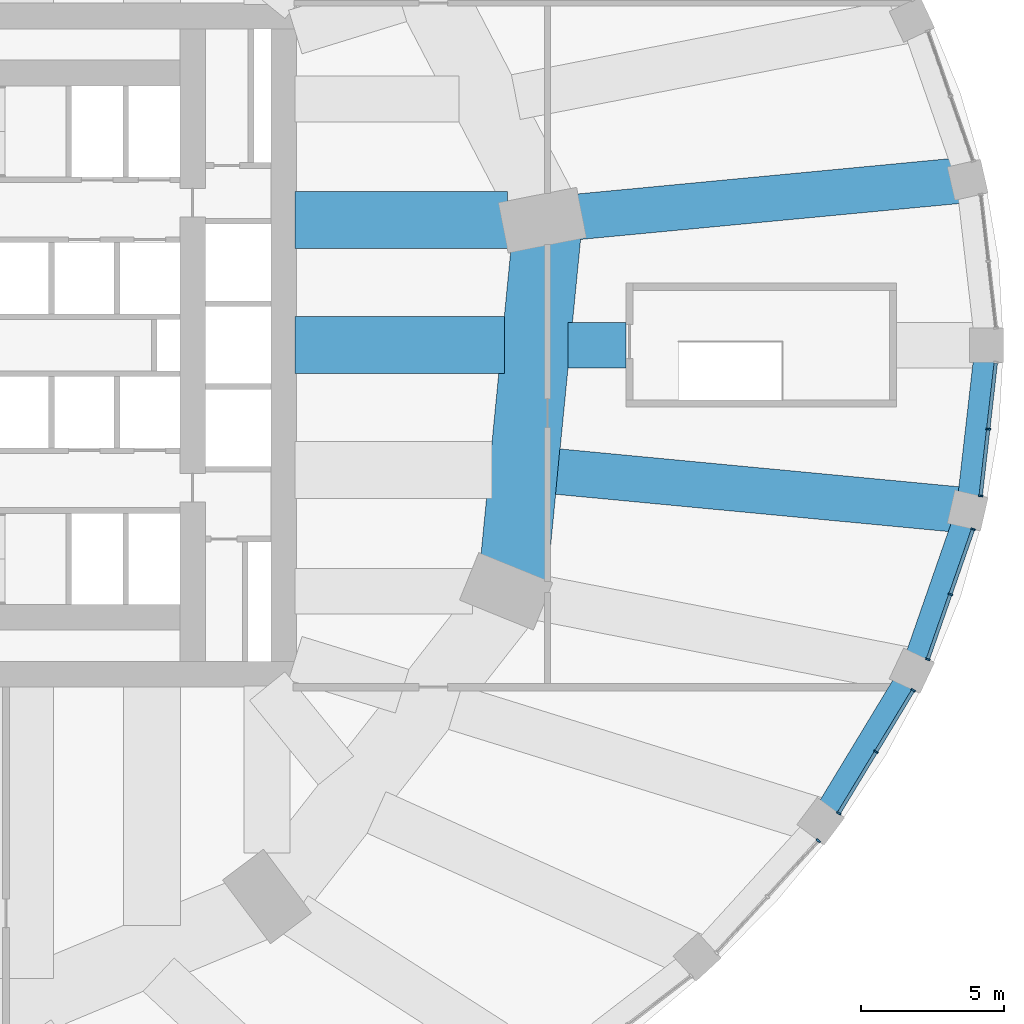
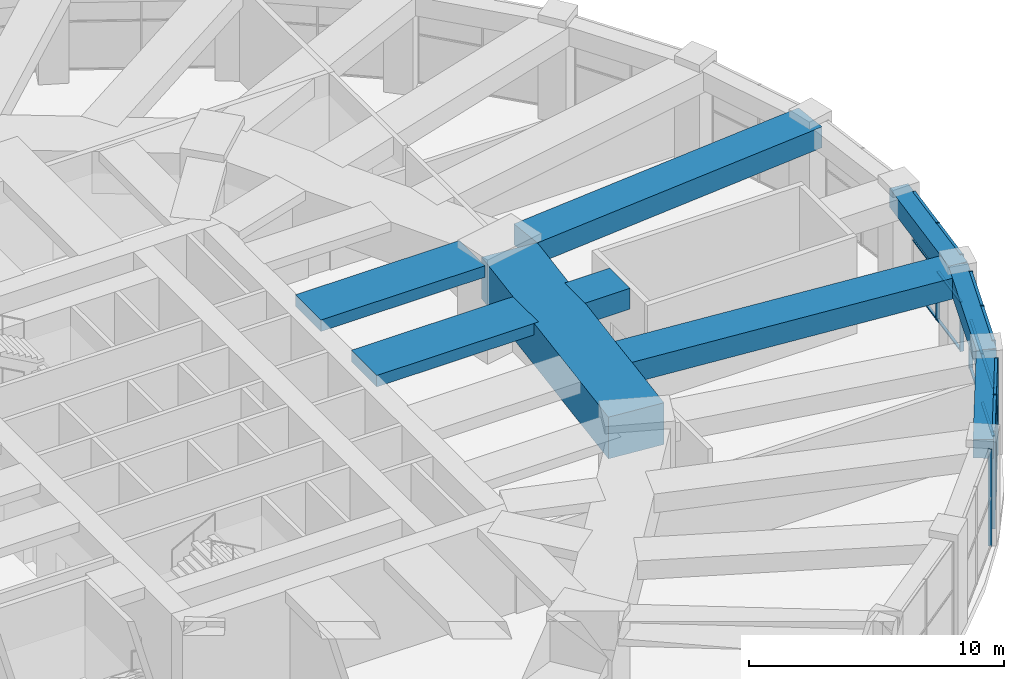
# One storey, part 13 of 30: 27 members, 9 beams, 4 elements without a shape of their own.
"""IFC4 building model written with IfcOpenShell, lengths in metres."""

from ifc_helpers import new_model, si_unit, direction, frame, origin, origin_2d, place, context, subcontext, project, spatial, rectangle, extrude, material, material_profile, profile_set, type_object, element, aggregate, save


model = new_model("IFC4")

# Units and contexts
model_context = context("Model", 3, precision=1e-05, world=origin(), true_north=direction((0.0, 1.0)))
body_context = subcontext(model_context, "Body", "Model", "MODEL_VIEW")
ifc_project = project(units=[si_unit("LENGTHUNIT", "METRE"), si_unit("AREAUNIT", "SQUARE_METRE"), si_unit("VOLUMEUNIT", "CUBIC_METRE"), si_unit("PLANEANGLEUNIT", "RADIAN"), si_unit("MASSUNIT", "GRAM", prefix="KILO")], contexts=[model_context])

# Site, building, storey
site_placement = place(None, origin())
site = spatial("IfcSite", under=ifc_project, at=site_placement, CompositionType="ELEMENT")
building_placement = place(site_placement, origin())
building = spatial("IfcBuilding", under=site, at=building_placement, Name="Taillehof Tower", CompositionType="ELEMENT")
storey_placement = place(building_placement, frame((0.0, 0.0, 12.5)))
storey = spatial("IfcBuildingStorey", under=building, at=storey_placement, Name="L02", CompositionType="ELEMENT", Elevation=12.5)

# Beams
ifc_material_1 = material(Name="Concrete C50/60", Category="concrete")
ifc_material_profile_1 = material_profile(ifc_material_1, rectangle(XDim=0.800048828125, YDim=0.89990234375, at=origin_2d()), Name="RC 800x900")
ifc_profile_set_1 = profile_set([ifc_material_profile_1], Name="Concrete C50/60")
beam_type_1 = type_object("IfcBeamType", Name="Podium edge beam C50/60 800x900", PredefinedType="BEAM", material=ifc_profile_set_1)
beam_1_placement = place(storey_placement, frame((37.58544921875, -16.699951171875, 4.199951171875), z_axis=(0.518238569123, 0.855236099258, 0.0), x_axis=(-0.855236099258, 0.518238569123, 0.0)))
element("IfcBeam", 1, at=beam_1_placement, inside=storey, type_object=beam_type_1, Name="Podium edge beam PB34", PredefinedType="BEAM", context=body_context, shape_type="SweptSolid", body=[
    extrude(rectangle(XDim=0.800048828125, YDim=0.89990234375, at=origin_2d()), origin(), (0.0, 0.0, 1.0), 6.16943359375),
])
beam_2_placement = place(storey_placement, frame((40.78271484375, -11.423583984375, 4.199951171875), z_axis=(0.328806837859, 0.94439719577, 0.0), x_axis=(-0.94439719577, 0.328806837859, 0.0)))
element("IfcBeam", 2, at=beam_2_placement, inside=storey, type_object=beam_type_1, Name="Podium edge beam PB35", PredefinedType="BEAM", context=body_context, shape_type="SweptSolid", body=[
    extrude(rectangle(XDim=0.800048828125, YDim=0.89990234375, at=origin_2d()), origin(), (0.0, 0.0, 1.0), 5.954833984375),
])
beam_3_placement = place(storey_placement, frame((42.74072265625, -5.7998046875, 4.199951171875), z_axis=(0.112928457179, 0.993603121754, 0.0), x_axis=(-0.993603121754, 0.112928457179, 0.0)))
element("IfcBeam", 3, at=beam_3_placement, inside=storey, type_object=beam_type_1, Name="Podium edge beam PB36", PredefinedType="BEAM", context=body_context, shape_type="SweptSolid", body=[
    extrude(rectangle(XDim=0.800048828125, YDim=0.89990234375, at=origin_2d()), origin(), (0.0, 0.0, 1.0), 5.837158203125),
])
ifc_material_2 = material(Name="Concrete C50/60", Category="concrete")
ifc_material_profile_2 = material_profile(ifc_material_2, rectangle(XDim=1.60009765625, YDim=1.0, at=origin_2d()), Name="RC 1600x1000")
ifc_profile_set_2 = profile_set([ifc_material_profile_2], Name="Concrete C50/60")
beam_type_2 = type_object("IfcBeamType", Name="Podium radial beam C50/60 1600x1000", PredefinedType="BEAM", material=ifc_profile_set_2)
beam_4_placement = place(storey_placement, frame((30.75, 0.0, 4.14990234375), z_axis=(-1.0, 0.0, 0.0), x_axis=(0.0, -1.0, 0.0)))
element("IfcBeam", 4, at=beam_4_placement, inside=storey, type_object=beam_type_2, Name="Podium radial beam PR01", PredefinedType="BEAM", context=body_context, shape_type="SweptSolid", body=[
    extrude(rectangle(XDim=1.60009765625, YDim=1.0, at=origin_2d()), origin(), (0.0, 0.0, 1.0), 2.035888671875),
])
beam_5_placement = place(storey_placement, frame((42.74072265625, 5.7998046875, 4.14990234375), z_axis=(-0.995532102093, -0.094423692488, 0.0), x_axis=(0.094423692488, -0.995532102093, 0.0)))
element("IfcBeam", 5, at=beam_5_placement, inside=storey, type_object=beam_type_2, Name="Podium radial beam PR02", PredefinedType="BEAM", context=body_context, shape_type="SweptSolid", body=[
    extrude(rectangle(XDim=1.60009765625, YDim=1.0, at=origin_2d()), origin(), (0.0, 0.0, 1.0), 13.7216796875),
])
beam_6_placement = place(storey_placement, frame((42.74072265625, -5.7998046875, 4.14990234375), z_axis=(-0.995531702559, 0.094427904773, 0.0), x_axis=(-0.094427904773, -0.995531702559, 0.0)))
element("IfcBeam", 6, at=beam_6_placement, inside=storey, type_object=beam_type_2, Name="Podium radial beam PR36", PredefinedType="BEAM", context=body_context, shape_type="SweptSolid", body=[
    extrude(rectangle(XDim=1.60009765625, YDim=1.0, at=origin_2d()), origin(), (0.0, 0.0, 1.0), 14.447509765625),
])

# Curtain wall, member
ifc_material_3 = material(Name="Aluminium curtain wall with Clear low-emissivity double glazing", Category="aluminium")
curtain_wall_type = type_object("IfcCurtainWallType", Name="Podium window wall curtain wall", PredefinedType="USERDEFINED", material=ifc_material_3)
curtain_wall_1_placement = place(storey_placement, origin())
curtain_wall_1 = element("IfcCurtainWall", 7, at=curtain_wall_1_placement, inside=storey, type_object=curtain_wall_type, Name="Podium window wall L02 bay 33", ObjectType="WINDOW WALL", PredefinedType="USERDEFINED")
ifc_material_4 = material(Name="Aluminium mullion", Category="aluminium")
ifc_material_profile_3 = material_profile(ifc_material_4, rectangle(XDim=0.159912109375, YDim=0.06005859375, at=origin_2d()), Name="AL 60x160")
ifc_profile_set_3 = profile_set([ifc_material_profile_3], Name="Aluminium mullion")
member_type_1 = type_object("IfcMemberType", Name="Podium window wall mullion 60x160", PredefinedType="MULLION", material=ifc_profile_set_3)
member_1_placement = place(storey_placement, frame((37.49951171875, -17.384765625, 0.0), z_axis=(0.0, 0.0, 1.0), x_axis=(-0.739707112587, 0.672928961769, 0.0)))
member_1 = element("IfcMember", 8, at=member_1_placement, type_object=member_type_1, Name="CT233 mullion 3", PredefinedType="MULLION", context=body_context, shape_type="SweptSolid", body=[
    extrude(rectangle(XDim=0.159912109375, YDim=0.06005859375, at=origin_2d()), origin(), (0.0, 0.0, 1.0), 4.64990234375),
])
aggregate(curtain_wall_1, [member_1])

# Curtain wall, members
curtain_wall_2_placement = place(storey_placement, origin())
curtain_wall_2 = element("IfcCurtainWall", 9, at=curtain_wall_2_placement, inside=storey, type_object=curtain_wall_type, Name="Podium window wall L02 bay 34", ObjectType="WINDOW WALL", PredefinedType="USERDEFINED")
member_2_placement = place(storey_placement, frame((38.217529296875, -16.42333984375, 0.0), z_axis=(0.0, 0.0, 1.0), x_axis=(-0.855288863309, 0.518151483931, 0.0)))
member_2 = element("IfcMember", 10, at=member_2_placement, type_object=member_type_1, Name="CT234 mullion 1", PredefinedType="MULLION", context=body_context, shape_type="SweptSolid", body=[
    extrude(rectangle(XDim=0.159912109375, YDim=0.06005859375, at=origin_2d()), origin(), (0.0, 0.0, 1.0), 4.64990234375),
])
member_3_placement = place(storey_placement, frame((39.524169921875, -14.266357421875, 0.0), z_axis=(0.0, 0.0, 1.0), x_axis=(-0.855288863309, 0.518151483931, 0.0)))
member_3 = element("IfcMember", 11, at=member_3_placement, type_object=member_type_1, Name="CT234 mullion 2", PredefinedType="MULLION", context=body_context, shape_type="SweptSolid", body=[
    extrude(rectangle(XDim=0.159912109375, YDim=0.06005859375, at=origin_2d()), origin(), (0.0, 0.0, 1.0), 4.64990234375),
])
member_4_placement = place(storey_placement, frame((40.8310546875, -12.109375, 0.0), z_axis=(0.0, 0.0, 1.0), x_axis=(-0.855288863309, 0.518151483931, 0.0)))
member_4 = element("IfcMember", 12, at=member_4_placement, type_object=member_type_1, Name="CT234 mullion 3", PredefinedType="MULLION", context=body_context, shape_type="SweptSolid", body=[
    extrude(rectangle(XDim=0.159912109375, YDim=0.06005859375, at=origin_2d()), origin(), (0.0, 0.0, 1.0), 4.64990234375),
])

curtain_wall_3_placement = place(storey_placement, origin())
curtain_wall_3 = element("IfcCurtainWall", 13, at=curtain_wall_3_placement, inside=storey, type_object=curtain_wall_type, Name="Podium window wall L02 bay 35", ObjectType="WINDOW WALL", PredefinedType="USERDEFINED")
member_5_placement = place(storey_placement, frame((41.341796875, -11.023681640625, 0.0), z_axis=(0.0, 0.0, 1.0), x_axis=(-0.944414333464, 0.328757610934, 0.0)))
member_5 = element("IfcMember", 14, at=member_5_placement, type_object=member_type_1, Name="CT235 mullion 1", PredefinedType="MULLION", context=body_context, shape_type="SweptSolid", body=[
    extrude(rectangle(XDim=0.159912109375, YDim=0.06005859375, at=origin_2d()), origin(), (0.0, 0.0, 1.0), 4.64990234375),
])
member_6_placement = place(storey_placement, frame((42.136474609375, -8.7412109375, 0.0), z_axis=(0.0, 0.0, 1.0), x_axis=(-0.944414333464, 0.328757610934, 0.0)))
member_6 = element("IfcMember", 15, at=member_6_placement, type_object=member_type_1, Name="CT235 mullion 2", PredefinedType="MULLION", context=body_context, shape_type="SweptSolid", body=[
    extrude(rectangle(XDim=0.159912109375, YDim=0.06005859375, at=origin_2d()), origin(), (0.0, 0.0, 1.0), 4.64990234375),
])
member_7_placement = place(storey_placement, frame((42.930908203125, -6.458740234375, 0.0), z_axis=(0.0, 0.0, 1.0), x_axis=(-0.944414333464, 0.328757610934, 0.0)))
member_7 = element("IfcMember", 16, at=member_7_placement, type_object=member_type_1, Name="CT235 mullion 3", PredefinedType="MULLION", context=body_context, shape_type="SweptSolid", body=[
    extrude(rectangle(XDim=0.159912109375, YDim=0.06005859375, at=origin_2d()), origin(), (0.0, 0.0, 1.0), 4.64990234375),
])

curtain_wall_4_placement = place(storey_placement, origin())
curtain_wall_4 = element("IfcCurtainWall", 17, at=curtain_wall_4_placement, inside=storey, type_object=curtain_wall_type, Name="Podium window wall L02 bay 36", ObjectType="WINDOW WALL", PredefinedType="USERDEFINED")
member_8_placement = place(storey_placement, frame((43.197509765625, -5.28857421875, 0.0), z_axis=(0.0, 0.0, 1.0), x_axis=(-0.993602669771, 0.112932433888, 0.0)))
member_8 = element("IfcMember", 18, at=member_8_placement, type_object=member_type_1, Name="CT236 mullion 1", PredefinedType="MULLION", context=body_context, shape_type="SweptSolid", body=[
    extrude(rectangle(XDim=0.159912109375, YDim=0.06005859375, at=origin_2d()), origin(), (0.0, 0.0, 1.0), 4.64990234375),
])
member_9_placement = place(storey_placement, frame((43.464111328125, -2.9443359375, 0.0), z_axis=(0.0, 0.0, 1.0), x_axis=(-0.993602669771, 0.112932433888, 0.0)))
member_9 = element("IfcMember", 19, at=member_9_placement, type_object=member_type_1, Name="CT236 mullion 2", PredefinedType="MULLION", context=body_context, shape_type="SweptSolid", body=[
    extrude(rectangle(XDim=0.159912109375, YDim=0.06005859375, at=origin_2d()), origin(), (0.0, 0.0, 1.0), 4.64990234375),
])

# Member
ifc_material_5 = material(Name="Aluminium transom", Category="aluminium")
ifc_material_profile_4 = material_profile(ifc_material_5, rectangle(XDim=0.1201171875, YDim=0.06005859375, at=origin_2d()), Name="AL 120x60")
ifc_profile_set_4 = profile_set([ifc_material_profile_4], Name="Aluminium transom")
member_type_2 = type_object("IfcMemberType", Name="Podium window wall transom 120x60", PredefinedType="USERDEFINED", material=ifc_profile_set_4)
member_10_placement = place(storey_placement, frame((38.233154296875, -16.397705078125, 0.030029296875), z_axis=(0.518136875535, 0.855297713203, 0.0), x_axis=(-0.855297713203, 0.518136875535, 0.0)))
member_10 = element("IfcMember", 20, at=member_10_placement, type_object=member_type_2, Name="CT234 transom 1.1", ObjectType="TRANSOM", PredefinedType="USERDEFINED", context=body_context, shape_type="SweptSolid", body=[
    extrude(rectangle(XDim=0.1201171875, YDim=0.06005859375, at=origin_2d()), origin(), (0.0, 0.0, 1.0), 2.4619140625),
])

member_11_placement = place(storey_placement, frame((38.233154296875, -16.397705078125, 2.324951171875), z_axis=(0.518136875535, 0.855297713203, 0.0), x_axis=(-0.855297713203, 0.518136875535, 0.0)))
member_11 = element("IfcMember", 21, at=member_11_placement, type_object=member_type_2, Name="CT234 transom 1.2", ObjectType="TRANSOM", PredefinedType="USERDEFINED", context=body_context, shape_type="SweptSolid", body=[
    extrude(rectangle(XDim=0.1201171875, YDim=0.06005859375, at=origin_2d()), origin(), (0.0, 0.0, 1.0), 2.4619140625),
])

member_12_placement = place(storey_placement, frame((38.233154296875, -16.397705078125, 4.6201171875), z_axis=(0.518136875535, 0.855297713203, 0.0), x_axis=(-0.855297713203, 0.518136875535, 0.0)))
member_12 = element("IfcMember", 22, at=member_12_placement, type_object=member_type_2, Name="CT234 transom 1.3", ObjectType="TRANSOM", PredefinedType="USERDEFINED", context=body_context, shape_type="SweptSolid", body=[
    extrude(rectangle(XDim=0.1201171875, YDim=0.06005859375, at=origin_2d()), origin(), (0.0, 0.0, 1.0), 2.4619140625),
])

member_13_placement = place(storey_placement, frame((39.539794921875, -14.24072265625, 0.030029296875), z_axis=(0.518136875535, 0.855297713203, 0.0), x_axis=(-0.855297713203, 0.518136875535, 0.0)))
member_13 = element("IfcMember", 23, at=member_13_placement, type_object=member_type_2, Name="CT234 transom 2.1", ObjectType="TRANSOM", PredefinedType="USERDEFINED", context=body_context, shape_type="SweptSolid", body=[
    extrude(rectangle(XDim=0.1201171875, YDim=0.06005859375, at=origin_2d()), origin(), (0.0, 0.0, 1.0), 2.4619140625),
])

member_14_placement = place(storey_placement, frame((39.539794921875, -14.24072265625, 2.324951171875), z_axis=(0.518136875535, 0.855297713203, 0.0), x_axis=(-0.855297713203, 0.518136875535, 0.0)))
member_14 = element("IfcMember", 24, at=member_14_placement, type_object=member_type_2, Name="CT234 transom 2.2", ObjectType="TRANSOM", PredefinedType="USERDEFINED", context=body_context, shape_type="SweptSolid", body=[
    extrude(rectangle(XDim=0.1201171875, YDim=0.06005859375, at=origin_2d()), origin(), (0.0, 0.0, 1.0), 2.4619140625),
])

member_15_placement = place(storey_placement, frame((39.539794921875, -14.24072265625, 4.6201171875), z_axis=(0.518136875535, 0.855297713203, 0.0), x_axis=(-0.855297713203, 0.518136875535, 0.0)))
member_15 = element("IfcMember", 25, at=member_15_placement, type_object=member_type_2, Name="CT234 transom 2.3", ObjectType="TRANSOM", PredefinedType="USERDEFINED", context=body_context, shape_type="SweptSolid", body=[
    extrude(rectangle(XDim=0.1201171875, YDim=0.06005859375, at=origin_2d()), origin(), (0.0, 0.0, 1.0), 2.4619140625),
])

aggregate(curtain_wall_2, [member_2, member_3, member_4, member_10, member_11, member_12, member_13, member_14, member_15])

member_16_placement = place(storey_placement, frame((41.351806640625, -10.995361328125, 0.030029296875), z_axis=(0.328693387122, 0.9444366878, 0.0), x_axis=(-0.9444366878, 0.328693387122, 0.0)))
member_16 = element("IfcMember", 26, at=member_16_placement, type_object=member_type_2, Name="CT235 transom 1.1", ObjectType="TRANSOM", PredefinedType="USERDEFINED", context=body_context, shape_type="SweptSolid", body=[
    extrude(rectangle(XDim=0.1201171875, YDim=0.06005859375, at=origin_2d()), origin(), (0.0, 0.0, 1.0), 2.356689453125),
])

member_17_placement = place(storey_placement, frame((41.351806640625, -10.995361328125, 2.324951171875), z_axis=(0.328693387122, 0.9444366878, 0.0), x_axis=(-0.9444366878, 0.328693387122, 0.0)))
member_17 = element("IfcMember", 27, at=member_17_placement, type_object=member_type_2, Name="CT235 transom 1.2", ObjectType="TRANSOM", PredefinedType="USERDEFINED", context=body_context, shape_type="SweptSolid", body=[
    extrude(rectangle(XDim=0.1201171875, YDim=0.06005859375, at=origin_2d()), origin(), (0.0, 0.0, 1.0), 2.356689453125),
])

member_18_placement = place(storey_placement, frame((41.351806640625, -10.995361328125, 4.6201171875), z_axis=(0.328693387122, 0.9444366878, 0.0), x_axis=(-0.9444366878, 0.328693387122, 0.0)))
member_18 = element("IfcMember", 28, at=member_18_placement, type_object=member_type_2, Name="CT235 transom 1.3", ObjectType="TRANSOM", PredefinedType="USERDEFINED", context=body_context, shape_type="SweptSolid", body=[
    extrude(rectangle(XDim=0.1201171875, YDim=0.06005859375, at=origin_2d()), origin(), (0.0, 0.0, 1.0), 2.356689453125),
])

member_19_placement = place(storey_placement, frame((42.146240234375, -8.712890625, 0.030029296875), z_axis=(0.328785781258, 0.944404526695, 0.0), x_axis=(-0.944404526695, 0.328785781258, 0.0)))
member_19 = element("IfcMember", 29, at=member_19_placement, type_object=member_type_2, Name="CT235 transom 2.1", ObjectType="TRANSOM", PredefinedType="USERDEFINED", context=body_context, shape_type="SweptSolid", body=[
    extrude(rectangle(XDim=0.1201171875, YDim=0.06005859375, at=origin_2d()), origin(), (0.0, 0.0, 1.0), 2.35693359375),
])

member_20_placement = place(storey_placement, frame((42.146240234375, -8.712890625, 2.324951171875), z_axis=(0.328785781258, 0.944404526695, 0.0), x_axis=(-0.944404526695, 0.328785781258, 0.0)))
member_20 = element("IfcMember", 30, at=member_20_placement, type_object=member_type_2, Name="CT235 transom 2.2", ObjectType="TRANSOM", PredefinedType="USERDEFINED", context=body_context, shape_type="SweptSolid", body=[
    extrude(rectangle(XDim=0.1201171875, YDim=0.06005859375, at=origin_2d()), origin(), (0.0, 0.0, 1.0), 2.35693359375),
])

member_21_placement = place(storey_placement, frame((42.146240234375, -8.712890625, 4.6201171875), z_axis=(0.328785781258, 0.944404526695, 0.0), x_axis=(-0.944404526695, 0.328785781258, 0.0)))
member_21 = element("IfcMember", 31, at=member_21_placement, type_object=member_type_2, Name="CT235 transom 2.3", ObjectType="TRANSOM", PredefinedType="USERDEFINED", context=body_context, shape_type="SweptSolid", body=[
    extrude(rectangle(XDim=0.1201171875, YDim=0.06005859375, at=origin_2d()), origin(), (0.0, 0.0, 1.0), 2.35693359375),
])

aggregate(curtain_wall_3, [member_5, member_6, member_7, member_16, member_17, member_18, member_19, member_20, member_21])

member_22_placement = place(storey_placement, frame((43.200927734375, -5.2587890625, 0.030029296875), z_axis=(0.112971628537, 0.993598214142, 0.0), x_axis=(-0.993598214142, 0.112971628537, 0.0)))
member_22 = element("IfcMember", 32, at=member_22_placement, type_object=member_type_2, Name="CT236 transom 1.1", ObjectType="TRANSOM", PredefinedType="USERDEFINED", context=body_context, shape_type="SweptSolid", body=[
    extrude(rectangle(XDim=0.1201171875, YDim=0.06005859375, at=origin_2d()), origin(), (0.0, 0.0, 1.0), 2.29931640625),
])

member_23_placement = place(storey_placement, frame((43.200927734375, -5.2587890625, 2.324951171875), z_axis=(0.112971628537, 0.993598214142, 0.0), x_axis=(-0.993598214142, 0.112971628537, 0.0)))
member_23 = element("IfcMember", 33, at=member_23_placement, type_object=member_type_2, Name="CT236 transom 1.2", ObjectType="TRANSOM", PredefinedType="USERDEFINED", context=body_context, shape_type="SweptSolid", body=[
    extrude(rectangle(XDim=0.1201171875, YDim=0.06005859375, at=origin_2d()), origin(), (0.0, 0.0, 1.0), 2.29931640625),
])

member_24_placement = place(storey_placement, frame((43.200927734375, -5.2587890625, 4.6201171875), z_axis=(0.112971628537, 0.993598214142, 0.0), x_axis=(-0.993598214142, 0.112971628537, 0.0)))
member_24 = element("IfcMember", 34, at=member_24_placement, type_object=member_type_2, Name="CT236 transom 1.3", ObjectType="TRANSOM", PredefinedType="USERDEFINED", context=body_context, shape_type="SweptSolid", body=[
    extrude(rectangle(XDim=0.1201171875, YDim=0.06005859375, at=origin_2d()), origin(), (0.0, 0.0, 1.0), 2.29931640625),
])

member_25_placement = place(storey_placement, frame((43.467529296875, -2.91455078125, 0.030029296875), z_axis=(0.112866805394, 0.993610126881, 0.0), x_axis=(-0.993610126881, 0.112866805394, 0.0)))
member_25 = element("IfcMember", 35, at=member_25_placement, type_object=member_type_2, Name="CT236 transom 2.1", ObjectType="TRANSOM", PredefinedType="USERDEFINED", context=body_context, shape_type="SweptSolid", body=[
    extrude(rectangle(XDim=0.1201171875, YDim=0.06005859375, at=origin_2d()), origin(), (0.0, 0.0, 1.0), 2.29931640625),
])

member_26_placement = place(storey_placement, frame((43.467529296875, -2.91455078125, 2.324951171875), z_axis=(0.112866805394, 0.993610126881, 0.0), x_axis=(-0.993610126881, 0.112866805394, 0.0)))
member_26 = element("IfcMember", 36, at=member_26_placement, type_object=member_type_2, Name="CT236 transom 2.2", ObjectType="TRANSOM", PredefinedType="USERDEFINED", context=body_context, shape_type="SweptSolid", body=[
    extrude(rectangle(XDim=0.1201171875, YDim=0.06005859375, at=origin_2d()), origin(), (0.0, 0.0, 1.0), 2.29931640625),
])

member_27_placement = place(storey_placement, frame((43.467529296875, -2.91455078125, 4.6201171875), z_axis=(0.112866805394, 0.993610126881, 0.0), x_axis=(-0.993610126881, 0.112866805394, 0.0)))
member_27 = element("IfcMember", 37, at=member_27_placement, type_object=member_type_2, Name="CT236 transom 2.3", ObjectType="TRANSOM", PredefinedType="USERDEFINED", context=body_context, shape_type="SweptSolid", body=[
    extrude(rectangle(XDim=0.1201171875, YDim=0.06005859375, at=origin_2d()), origin(), (0.0, 0.0, 1.0), 2.29931640625),
])

aggregate(curtain_wall_4, [member_8, member_9, member_22, member_23, member_24, member_25, member_26, member_27])

# Beams
ifc_material_6 = material(Name="Concrete C50/60", Category="concrete")
ifc_material_profile_5 = material_profile(ifc_material_6, rectangle(XDim=2.0, YDim=0.550048828125, at=origin_2d()), Name="RC 2000x550")
ifc_profile_set_5 = profile_set([ifc_material_profile_5], Name="Concrete C50/60")
beam_type_3 = type_object("IfcBeamType", Name="Radial band beam C50/60 2000x550", PredefinedType="BEAM", material=ifc_profile_set_5)
beam_7_placement = place(storey_placement, frame((26.486328125, 0.0, 4.375), z_axis=(-1.0, 0.0, 0.0), x_axis=(0.0, -1.0, 0.0)))
element("IfcBeam", 38, at=beam_7_placement, inside=storey, type_object=beam_type_3, Name="Radial band beam RB01", PredefinedType="BEAM", context=body_context, shape_type="SweptSolid", body=[
    extrude(rectangle(XDim=2.0, YDim=0.550048828125, at=origin_2d()), origin(), (0.0, 0.0, 1.0), 7.33642578125),
])
beam_8_placement = place(storey_placement, frame((26.594482421875, 4.384521484375, 4.375), z_axis=(-1.0, 0.0, 0.0), x_axis=(0.0, -1.0, 0.0)))
element("IfcBeam", 39, at=beam_8_placement, inside=storey, type_object=beam_type_3, Name="Radial band beam RB02", PredefinedType="BEAM", context=body_context, shape_type="SweptSolid", body=[
    extrude(rectangle(XDim=2.0, YDim=0.550048828125, at=origin_2d()), origin(), (0.0, 0.0, 1.0), 7.444580078125),
])
ifc_material_7 = material(Name="Concrete C80/95", Category="concrete")
ifc_material_profile_6 = material_profile(ifc_material_7, rectangle(XDim=2.39990234375, YDim=2.0, at=origin_2d()), Name="RC 2400x2000")
ifc_profile_set_6 = profile_set([ifc_material_profile_6], Name="Concrete C80/95")
beam_type_4 = type_object("IfcBeamType", Name="Transfer girder C80/95 2400x2000", PredefinedType="BEAM", material=ifc_profile_set_6)
beam_9_placement = place(storey_placement, frame((26.7958984375, -8.138671875, 3.64990234375), z_axis=(0.097419134698, 0.995243443683, 0.0), x_axis=(-0.995243443683, 0.097419134698, 0.0)))
element("IfcBeam", 40, at=beam_9_placement, inside=storey, type_object=beam_type_4, Name="Transfer girder TG12", PredefinedType="BEAM", context=body_context, shape_type="SweptSolid", body=[
    extrude(rectangle(XDim=2.39990234375, YDim=2.0, at=origin_2d()), origin(), (0.0, 0.0, 1.0), 12.04931640625),
])

save(model, "model.ifc")
